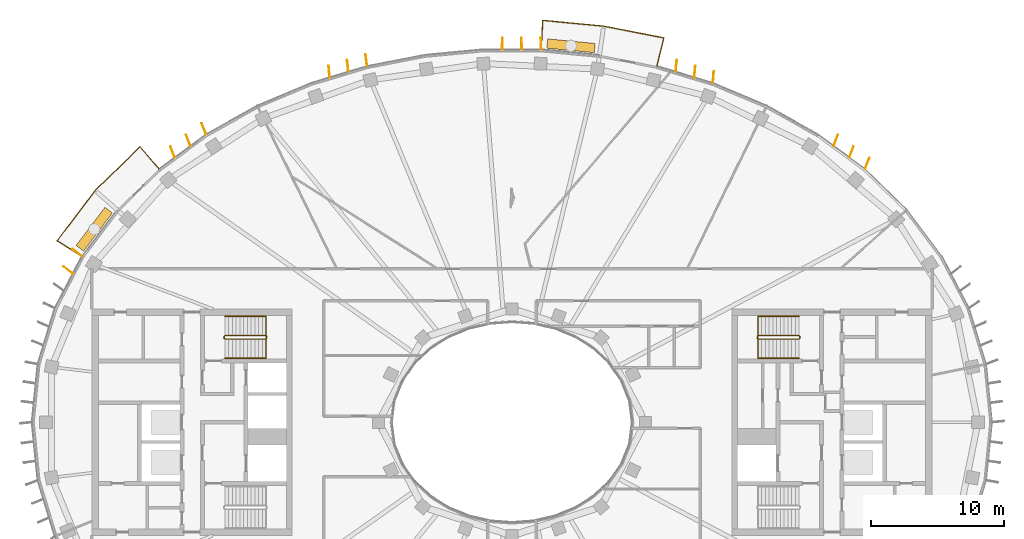
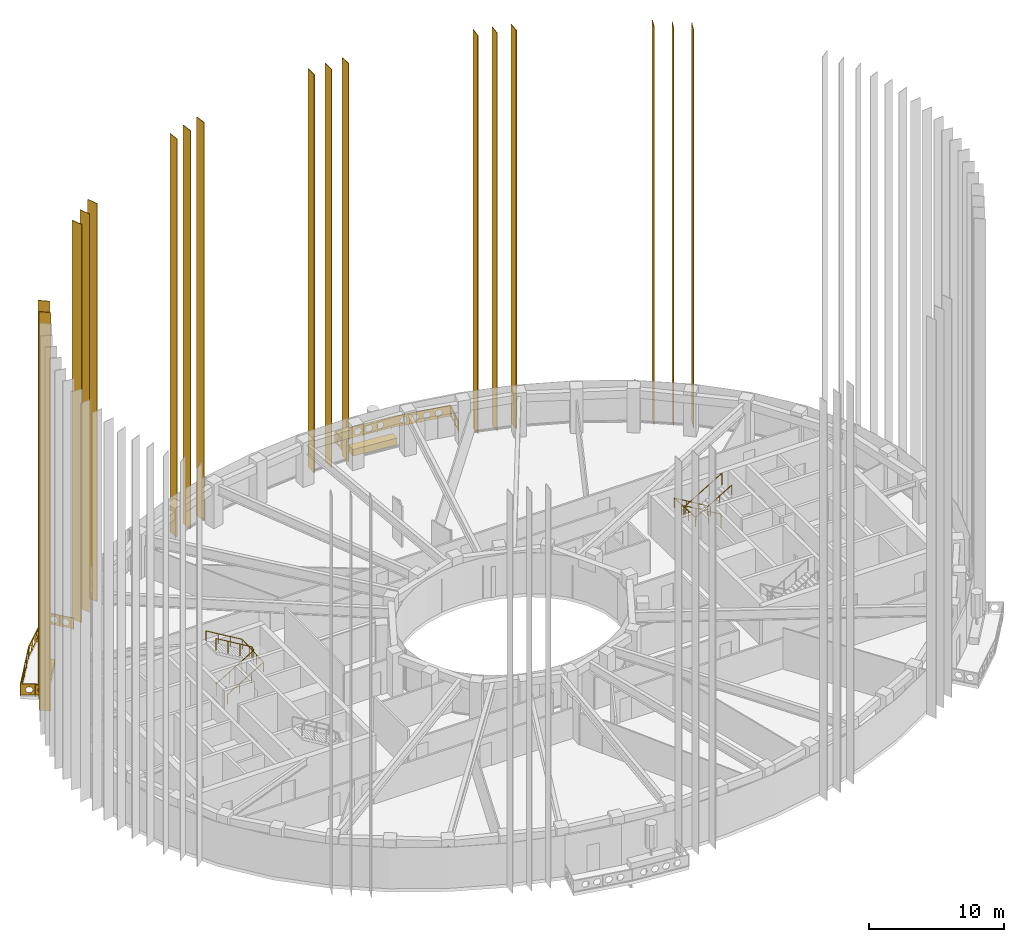
# One storey, part 15 of 17: 19 coverings, 6 railings.
"""IFC4 building model written with IfcOpenShell, lengths in metres."""

from ifc_helpers import new_model, si_unit, direction, frame, origin, origin_2d, place, context, subcontext, project, spatial, polyline, rectangle, outline, extrude, material, material_profile, profile_set, type_object, element, save


model = new_model("IFC4")

# Units and contexts
model_context = context("Model", 3, precision=1e-05, world=origin(), true_north=direction((0.0, 1.0)))
body_context = subcontext(model_context, "Body", "Model", "MODEL_VIEW")
ifc_project = project(units=[si_unit("LENGTHUNIT", "METRE"), si_unit("AREAUNIT", "SQUARE_METRE"), si_unit("VOLUMEUNIT", "CUBIC_METRE"), si_unit("PLANEANGLEUNIT", "RADIAN"), si_unit("MASSUNIT", "GRAM", prefix="KILO")], contexts=[model_context])

# Site, building, storey
site_placement = place(None, origin())
site = spatial("IfcSite", under=ifc_project, at=site_placement, CompositionType="ELEMENT")
building_placement = place(site_placement, origin())
building = spatial("IfcBuilding", under=site, at=building_placement, Name="Noorbagh Ring Tower", CompositionType="ELEMENT")
storey_placement = place(building_placement, frame((0.0, 0.0, 291.0)))
storey = spatial("IfcBuildingStorey", under=building, at=storey_placement, Name="L62", CompositionType="ELEMENT", Elevation=291.0)

# Railings
ifc_material_1 = material(Name="Stainless steel", Category="steel")
railing_type_1 = type_object("IfcRailingType", Name="CORE-STAIR-GUARD", PredefinedType="GUARDRAIL", material=ifc_material_1)
railing_1_placement = place(storey_placement, frame((-21.580078125, 6.300048828125, 0.0)))
element("IfcRailing", 1, at=railing_1_placement, inside=storey, type_object=railing_type_1, Name="L62 ST1 stair guard", PredefinedType="GUARDRAIL", context=body_context, shape_type="SweptSolid", body=[
    extrude(rectangle(XDim=0.048095703125, YDim=0.048095703125, at=origin_2d()), frame((0.0, 0.0, 1.076171875), z_axis=(0.0, 1.0, 0.0), x_axis=(-1.0, 0.0, 0.0)), (0.0, 0.0, 1.0), 0.14990234375),
    extrude(rectangle(XDim=0.048095703125, YDim=0.048095703125, at=origin_2d()), frame((0.0, 0.14990234375, 1.076171875), z_axis=(0.188775798145, -0.754182335027, 0.628945707965), x_axis=(0.970072785993, 0.242814311512, 0.0)), (0.0, 0.0, 1.0), 0.26513671875),
    extrude(rectangle(XDim=0.048095703125, YDim=0.048095703125, at=origin_2d()), frame((0.050048828125, -0.050048828125, 1.24267578125), z_axis=(0.859308565015, 0.0, 0.511457515432), x_axis=(0.0, 1.0, 0.0)), (0.0, 0.0, 1.0), 3.58447265625),
    extrude(rectangle(XDim=0.048095703125, YDim=0.048095703125, at=origin_2d()), frame((3.130126953125, -0.050048828125, 3.076171875), z_axis=(0.707106781187, 0.707106781187, 0.0), x_axis=(-0.707106781187, 0.707106781187, 0.0)), (0.0, 0.0, 1.0), 0.07080078125),
    extrude(rectangle(XDim=0.048095703125, YDim=0.048095703125, at=origin_2d()), frame((3.18017578125, 0.0, 3.076171875), z_axis=(0.0, 1.0, 0.0), x_axis=(-1.0, 0.0, 0.0)), (0.0, 0.0, 1.0), 0.14990234375),
    extrude(rectangle(XDim=0.048095703125, YDim=0.048095703125, at=origin_2d()), frame((3.18017578125, 0.14990234375, 3.076171875), z_axis=(-0.27628659633, 0.27628659633, 0.920506074601), x_axis=(-0.707106781187, -0.707106781187, 0.0)), (0.0, 0.0, 1.0), 0.18115234375),
    extrude(rectangle(XDim=0.048095703125, YDim=0.048095703125, at=origin_2d()), frame((3.130126953125, 0.199951171875, 3.24267578125), z_axis=(-0.859308565015, 0.0, 0.511457515432), x_axis=(0.0, -1.0, 0.0)), (0.0, 0.0, 1.0), 3.58447265625),
    extrude(rectangle(XDim=0.0419921875, YDim=0.0419921875, at=origin_2d()), origin(), (0.0, 0.0, 1.0), 1.052001953125),
    extrude(rectangle(XDim=0.0419921875, YDim=0.0419921875, at=origin_2d()), frame((1.07666015625, -0.050048828125, 0.77783203125)), (0.0, 0.0, 1.0), 1.052001953125),
    extrude(rectangle(XDim=0.0419921875, YDim=0.0419921875, at=origin_2d()), frame((2.103515625, -0.050048828125, 1.388916015625)), (0.0, 0.0, 1.0), 1.052001953125),
    extrude(rectangle(XDim=0.0419921875, YDim=0.0419921875, at=origin_2d()), frame((3.130126953125, -0.050048828125, 2.0)), (0.0, 0.0, 1.0), 1.052001953125),
    extrude(rectangle(XDim=0.0419921875, YDim=0.0419921875, at=origin_2d()), frame((3.130126953125, 0.199951171875, 2.166748046875)), (0.0, 0.0, 1.0), 1.052001953125),
    extrude(rectangle(XDim=0.0419921875, YDim=0.0419921875, at=origin_2d()), frame((2.103515625, 0.199951171875, 2.77783203125)), (0.0, 0.0, 1.0), 1.052001953125),
    extrude(rectangle(XDim=0.0419921875, YDim=0.0419921875, at=origin_2d()), frame((1.07666015625, 0.199951171875, 3.388916015625)), (0.0, 0.0, 1.0), 1.052001953125),
    extrude(rectangle(XDim=0.0419921875, YDim=0.0419921875, at=origin_2d()), frame((0.050048828125, 0.199951171875, 4.0)), (0.0, 0.0, 1.0), 1.052001953125),
])
railing_2_placement = place(storey_placement, frame((21.580078125, 6.449951171875, 0.0)))
element("IfcRailing", 2, at=railing_2_placement, inside=storey, type_object=railing_type_1, Name="L62 ST3 stair guard", PredefinedType="GUARDRAIL", context=body_context, shape_type="SweptSolid", body=[
    extrude(rectangle(XDim=0.048095703125, YDim=0.048095703125, at=origin_2d()), frame((0.0, 0.0, 1.076171875), z_axis=(0.0, -1.0, 0.0), x_axis=(1.0, 0.0, 0.0)), (0.0, 0.0, 1.0), 0.14990234375),
    extrude(rectangle(XDim=0.048095703125, YDim=0.048095703125, at=origin_2d()), frame((0.0, -0.14990234375, 1.076171875), z_axis=(-0.188775798145, 0.754182335027, 0.628945707965), x_axis=(-0.970072785993, -0.242814311512, 0.0)), (0.0, 0.0, 1.0), 0.26513671875),
    extrude(rectangle(XDim=0.048095703125, YDim=0.048095703125, at=origin_2d()), frame((-0.050048828125, 0.050048828125, 1.24267578125), z_axis=(-0.859308565015, 0.0, 0.511457515432), x_axis=(0.0, -1.0, 0.0)), (0.0, 0.0, 1.0), 3.58447265625),
    extrude(rectangle(XDim=0.048095703125, YDim=0.048095703125, at=origin_2d()), frame((-3.130126953125, 0.050048828125, 3.076171875), z_axis=(-0.707106781187, -0.707106781187, 0.0), x_axis=(0.707106781187, -0.707106781187, 0.0)), (0.0, 0.0, 1.0), 0.07080078125),
    extrude(rectangle(XDim=0.048095703125, YDim=0.048095703125, at=origin_2d()), frame((-3.18017578125, 0.0, 3.076171875), z_axis=(0.0, -1.0, 0.0), x_axis=(1.0, 0.0, 0.0)), (0.0, 0.0, 1.0), 0.14990234375),
    extrude(rectangle(XDim=0.048095703125, YDim=0.048095703125, at=origin_2d()), frame((-3.18017578125, -0.14990234375, 3.076171875), z_axis=(0.27628659633, -0.27628659633, 0.920506074601), x_axis=(0.707106781187, 0.707106781187, 0.0)), (0.0, 0.0, 1.0), 0.18115234375),
    extrude(rectangle(XDim=0.048095703125, YDim=0.048095703125, at=origin_2d()), frame((-3.130126953125, -0.199951171875, 3.24267578125), z_axis=(0.859308565015, 0.0, 0.511457515432), x_axis=(0.0, 1.0, 0.0)), (0.0, 0.0, 1.0), 3.58447265625),
    extrude(rectangle(XDim=0.0419921875, YDim=0.0419921875, at=origin_2d()), origin(), (0.0, 0.0, 1.0), 1.052001953125),
    extrude(rectangle(XDim=0.0419921875, YDim=0.0419921875, at=origin_2d()), frame((-1.07666015625, 0.050048828125, 0.77783203125)), (0.0, 0.0, 1.0), 1.052001953125),
    extrude(rectangle(XDim=0.0419921875, YDim=0.0419921875, at=origin_2d()), frame((-2.103515625, 0.050048828125, 1.388916015625)), (0.0, 0.0, 1.0), 1.052001953125),
    extrude(rectangle(XDim=0.0419921875, YDim=0.0419921875, at=origin_2d()), frame((-3.130126953125, 0.050048828125, 2.0)), (0.0, 0.0, 1.0), 1.052001953125),
    extrude(rectangle(XDim=0.0419921875, YDim=0.0419921875, at=origin_2d()), frame((-3.130126953125, -0.199951171875, 2.166748046875)), (0.0, 0.0, 1.0), 1.052001953125),
    extrude(rectangle(XDim=0.0419921875, YDim=0.0419921875, at=origin_2d()), frame((-2.103515625, -0.199951171875, 2.77783203125)), (0.0, 0.0, 1.0), 1.052001953125),
    extrude(rectangle(XDim=0.0419921875, YDim=0.0419921875, at=origin_2d()), frame((-1.07666015625, -0.199951171875, 3.388916015625)), (0.0, 0.0, 1.0), 1.052001953125),
    extrude(rectangle(XDim=0.0419921875, YDim=0.0419921875, at=origin_2d()), frame((-0.050048828125, -0.199951171875, 4.0)), (0.0, 0.0, 1.0), 1.052001953125),
])
ifc_material_2 = material(Name="Stainless steel", Category="steel")
railing_type_2 = type_object("IfcRailingType", Name="CORE-STAIR-HANDRAIL", PredefinedType="HANDRAIL", material=ifc_material_2)
railing_3_placement = place(storey_placement, frame((-21.530029296875, 4.800048828125, 0.166748046875)))
element("IfcRailing", 3, at=railing_3_placement, inside=storey, type_object=railing_type_2, Name="L62 ST1 stair handrail", PredefinedType="HANDRAIL", context=body_context, shape_type="SweptSolid", body=[
    extrude(rectangle(XDim=0.048095703125, YDim=0.048095703125, at=origin_2d()), frame((0.0, 0.0, 0.8759765625), z_axis=(0.859308565015, 0.0, 0.511457515432), x_axis=(0.0, 1.0, 0.0)), (0.0, 0.0, 1.0), 3.58447265625),
    extrude(rectangle(XDim=0.048095703125, YDim=0.048095703125, at=origin_2d()), frame((3.080078125, 0.0, 2.708984375), z_axis=(0.0, 0.998601747152, 0.052863509014), x_axis=(-1.0, 0.0, 0.0)), (0.0, 0.0, 1.0), 3.154296875),
    extrude(rectangle(XDim=0.048095703125, YDim=0.048095703125, at=origin_2d()), frame((3.080078125, 3.14990234375, 2.8759765625), z_axis=(-0.859308565015, 0.0, 0.511457515432), x_axis=(0.0, -1.0, 0.0)), (0.0, 0.0, 1.0), 3.58447265625),
    extrude(rectangle(XDim=0.0419921875, YDim=0.0419921875, at=origin_2d()), origin(), (0.0, 0.0, 1.0), 0.851806640625),
    extrude(rectangle(XDim=0.0419921875, YDim=0.0419921875, at=origin_2d()), frame((1.026611328125, 0.0, 0.611083984375)), (0.0, 0.0, 1.0), 0.851806640625),
    extrude(rectangle(XDim=0.0419921875, YDim=0.0419921875, at=origin_2d()), frame((2.053466796875, 0.0, 1.22216796875)), (0.0, 0.0, 1.0), 0.851806640625),
    extrude(rectangle(XDim=0.0419921875, YDim=0.0419921875, at=origin_2d()), frame((3.080078125, 0.0, 1.833251953125)), (0.0, 0.0, 1.0), 0.851806640625),
    extrude(rectangle(XDim=0.0419921875, YDim=0.0419921875, at=origin_2d()), frame((3.080078125, 1.050048828125, 1.888916015625)), (0.0, 0.0, 1.0), 0.851806640625),
    extrude(rectangle(XDim=0.0419921875, YDim=0.0419921875, at=origin_2d()), frame((3.080078125, 2.099853515625, 1.9443359375)), (0.0, 0.0, 1.0), 0.851806640625),
    extrude(rectangle(XDim=0.0419921875, YDim=0.0419921875, at=origin_2d()), frame((3.080078125, 3.14990234375, 2.0)), (0.0, 0.0, 1.0), 0.851806640625),
    extrude(rectangle(XDim=0.0419921875, YDim=0.0419921875, at=origin_2d()), frame((2.053466796875, 3.14990234375, 2.611083984375)), (0.0, 0.0, 1.0), 0.851806640625),
    extrude(rectangle(XDim=0.0419921875, YDim=0.0419921875, at=origin_2d()), frame((1.026611328125, 3.14990234375, 3.22216796875)), (0.0, 0.0, 1.0), 0.851806640625),
    extrude(rectangle(XDim=0.0419921875, YDim=0.0419921875, at=origin_2d()), frame((0.0, 3.14990234375, 3.833251953125)), (0.0, 0.0, 1.0), 0.851806640625),
])
railing_4_placement = place(storey_placement, frame((21.530029296875, 7.949951171875, 0.166748046875)))
element("IfcRailing", 4, at=railing_4_placement, inside=storey, type_object=railing_type_2, Name="L62 ST3 stair handrail", PredefinedType="HANDRAIL", context=body_context, shape_type="SweptSolid", body=[
    extrude(rectangle(XDim=0.048095703125, YDim=0.048095703125, at=origin_2d()), frame((0.0, 0.0, 0.8759765625), z_axis=(-0.859308565015, 0.0, 0.511457515432), x_axis=(0.0, -1.0, 0.0)), (0.0, 0.0, 1.0), 3.58447265625),
    extrude(rectangle(XDim=0.048095703125, YDim=0.048095703125, at=origin_2d()), frame((-3.080078125, 0.0, 2.708984375), z_axis=(0.0, -0.998601747152, 0.052863509014), x_axis=(1.0, 0.0, 0.0)), (0.0, 0.0, 1.0), 3.154296875),
    extrude(rectangle(XDim=0.048095703125, YDim=0.048095703125, at=origin_2d()), frame((-3.080078125, -3.14990234375, 2.8759765625), z_axis=(0.859308565015, 0.0, 0.511457515432), x_axis=(0.0, 1.0, 0.0)), (0.0, 0.0, 1.0), 3.58447265625),
    extrude(rectangle(XDim=0.0419921875, YDim=0.0419921875, at=origin_2d()), origin(), (0.0, 0.0, 1.0), 0.851806640625),
    extrude(rectangle(XDim=0.0419921875, YDim=0.0419921875, at=origin_2d()), frame((-1.026611328125, 0.0, 0.611083984375)), (0.0, 0.0, 1.0), 0.851806640625),
    extrude(rectangle(XDim=0.0419921875, YDim=0.0419921875, at=origin_2d()), frame((-2.053466796875, 0.0, 1.22216796875)), (0.0, 0.0, 1.0), 0.851806640625),
    extrude(rectangle(XDim=0.0419921875, YDim=0.0419921875, at=origin_2d()), frame((-3.080078125, 0.0, 1.833251953125)), (0.0, 0.0, 1.0), 0.851806640625),
    extrude(rectangle(XDim=0.0419921875, YDim=0.0419921875, at=origin_2d()), frame((-3.080078125, -1.050048828125, 1.888916015625)), (0.0, 0.0, 1.0), 0.851806640625),
    extrude(rectangle(XDim=0.0419921875, YDim=0.0419921875, at=origin_2d()), frame((-3.080078125, -2.099853515625, 1.9443359375)), (0.0, 0.0, 1.0), 0.851806640625),
    extrude(rectangle(XDim=0.0419921875, YDim=0.0419921875, at=origin_2d()), frame((-3.080078125, -3.14990234375, 2.0)), (0.0, 0.0, 1.0), 0.851806640625),
    extrude(rectangle(XDim=0.0419921875, YDim=0.0419921875, at=origin_2d()), frame((-2.053466796875, -3.14990234375, 2.611083984375)), (0.0, 0.0, 1.0), 0.851806640625),
    extrude(rectangle(XDim=0.0419921875, YDim=0.0419921875, at=origin_2d()), frame((-1.026611328125, -3.14990234375, 3.22216796875)), (0.0, 0.0, 1.0), 0.851806640625),
    extrude(rectangle(XDim=0.0419921875, YDim=0.0419921875, at=origin_2d()), frame((0.0, -3.14990234375, 3.833251953125)), (0.0, 0.0, 1.0), 0.851806640625),
])

# Coverings
ifc_material_3 = material(Name="Aluminium 6063-T6 black anodised", Category="aluminium")
ifc_material_profile = material_profile(ifc_material_3, rectangle(XDim=0.89990234375, YDim=0.050048828125, at=origin_2d()), Name="900x50")
ifc_profile_set = profile_set([ifc_material_profile], Name="Aluminium 6063-T6 black anodised")
covering_type_1 = type_object("IfcCoveringType", Name="ENV-FIN", PredefinedType="CLADDING", material=ifc_profile_set)
for number, where, z_axis, x_axis, name in (
    (5, (26.633544921875, 19.406982421875, -0.284912109375), (0.0, 0.0, 1.0), (0.36956351025, 0.929205473451, 0.0), "Fin F06 1 L62-L70"),
    (6, (25.455078125, 20.2744140625, -0.284912109375), (0.0, 0.0, 1.0), (0.366046969104, 0.930596376745, 0.0), "Fin F06 2 L62-L70"),
    (7, (24.277587890625, 21.1416015625, -0.284912109375), (0.0, 0.0, 1.0), (0.364533046139, 0.931190452202, 0.0), "Fin F06 3 L62-L70"),
    (8, (15.102294921875, 25.884521484375, -0.284912109375), (0.0, 0.0, 1.0), (0.078357246483, 0.996925344208, 0.0), "Fin F09 1 L62-L70"),
    (9, (13.708740234375, 26.304931640625, -0.284912109375), (0.0, 0.0, 1.0), (0.092918421481, 0.995673725148, 0.0), "Fin F09 2 L62-L70"),
    (10, (12.31591796875, 26.72509765625, -0.284912109375), (0.0, 0.0, 1.0), (0.109101232004, 0.994030643982, 0.0), "Fin F09 3 L62-L70"),
    (11, (2.17724609375, 28.399169921875, -0.284912109375), (0.0, 0.0, 1.0), (-0.035640795498, 0.999364665023, 0.0), "Fin F12 1 L62-L70"),
    (12, (0.7255859375, 28.398681640625, -0.284912109375), (0.0, 0.0, 1.0), (-0.011915412219, 0.999929008956, 0.0), "Fin F12 2 L62-L70"),
    (13, (-0.7255859375, 28.398681640625, -0.284912109375), (0.0, 0.0, 1.0), (0.011915412219, 0.999929008956, 0.0), "Fin F12 3 L62-L70"),
    (14, (-10.923583984375, 27.14501953125, -0.284912109375), (0.0, 0.0, 1.0), (-0.126759493419, 0.99193348105, 0.0), "Fin F15 1 L62-L70"),
    (15, (-12.31591796875, 26.72509765625, -0.284912109375), (0.0, 0.0, 1.0), (-0.109101232004, 0.994030643982, 0.0), "Fin F15 2 L62-L70"),
    (16, (-13.708740234375, 26.304931640625, -0.284912109375), (0.0, 0.0, 1.0), (-0.092918421481, 0.995673725148, 0.0), "Fin F15 3 L62-L70"),
    (17, (-23.100830078125, 22.00830078125, -0.284912109375), (0.0, 0.0, 1.0), (-0.365038143381, 0.930992563814, 0.0), "Fin F18 1 L62-L70"),
    (18, (-24.277587890625, 21.1416015625, -0.284912109375), (0.0, 0.0, 1.0), (-0.364533046139, 0.931190452202, 0.0), "Fin F18 2 L62-L70"),
    (19, (-25.455078125, 20.2744140625, -0.284912109375), (0.0, 0.0, 1.0), (-0.366046969104, 0.930596376745, 0.0), "Fin F18 3 L62-L70"),
    (20, (-32.612060546875, 12.71728515625, -0.284912109375), (0.0, 0.0, 1.0), (-0.782643528987, 0.622470165176, 0.0), "Fin F21 1 L62-L70"),
    (21, (-33.291748046875, 11.415771484375, -0.284912109375), (0.0, 0.0, 1.0), (-0.793137535147, 0.609042568579, 0.0), "Fin F21 2 L62-L70"),
):
    element("IfcCovering", number, at=place(storey_placement, frame(where, z_axis=z_axis, x_axis=x_axis)), inside=storey, type_object=covering_type_1, Name=name, ObjectType="FIN", PredefinedType="CLADDING", context=body_context, shape_type="SweptSolid", body=[
        extrude(rectangle(XDim=0.89990234375, YDim=0.050048828125, at=origin_2d()), origin(), (0.0, 0.0, 1.0), 35.969970703125),
    ])

# Railings
ifc_material_4 = material(Name="Steel S275 black powder-coated", Category="steel")
railing_type_3 = type_object("IfcRailingType", Name="ENV-GUARD", PredefinedType="GUARDRAIL", material=ifc_material_4)
railing_5_placement = place(storey_placement, frame((10.865234375, 26.6943359375, 0.0)))
element("IfcRailing", 22, at=railing_5_placement, inside=storey, type_object=railing_type_3, Name="Balcony guard BN03", PredefinedType="GUARDRAIL", context=body_context, shape_type="SweptSolid", body=[
    extrude(rectangle(XDim=0.048095703125, YDim=0.048095703125, at=origin_2d()), frame((0.0, 0.0, 1.076171875), z_axis=(0.239848558412, 0.970810315679, 0.0), x_axis=(-0.970810315679, 0.239848558412, 0.0)), (0.0, 0.0, 1.0), 2.20263671875),
    extrude(rectangle(XDim=0.048095703125, YDim=0.048095703125, at=origin_2d()), frame((0.5283203125, 2.138427734375, 1.076171875), z_axis=(-0.981625049064, 0.1908199755, 0.0), x_axis=(-0.1908199755, -0.981625049064, 0.0)), (0.0, 0.0, 1.0), 4.603271484375),
    extrude(rectangle(XDim=0.048095703125, YDim=0.048095703125, at=origin_2d()), frame((-3.990478515625, 3.016845703125, 1.076171875), z_axis=(-0.995477555764, 0.094997031379, 0.0), x_axis=(-0.094997031379, -0.995477555764, 0.0)), (0.0, 0.0, 1.0), 4.59765625),
    extrude(rectangle(XDim=0.048095703125, YDim=0.048095703125, at=origin_2d()), frame((-8.5673828125, 3.45361328125, 1.076171875), z_axis=(-0.047554616162, -0.998868639252, 0.0), x_axis=(0.998868639252, -0.047554616162, 0.0)), (0.0, 0.0, 1.0), 2.202392578125),
    extrude(rectangle(XDim=0.0419921875, YDim=0.0419921875, at=origin_2d()), origin(), (0.0, 0.0, 1.0), 1.052001953125),
    extrude(rectangle(XDim=0.0419921875, YDim=0.0419921875, at=origin_2d()), frame((0.26416015625, 1.0693359375, 0.0)), (0.0, 0.0, 1.0), 1.052001953125),
    extrude(rectangle(XDim=0.0419921875, YDim=0.0419921875, at=origin_2d()), frame((0.5283203125, 2.138427734375, 0.0)), (0.0, 0.0, 1.0), 1.052001953125),
    extrude(rectangle(XDim=0.0419921875, YDim=0.0419921875, at=origin_2d()), frame((-0.601318359375, 2.35791015625, 0.0)), (0.0, 0.0, 1.0), 1.052001953125),
    extrude(rectangle(XDim=0.0419921875, YDim=0.0419921875, at=origin_2d()), frame((-1.73095703125, 2.57763671875, 0.0)), (0.0, 0.0, 1.0), 1.052001953125),
    extrude(rectangle(XDim=0.0419921875, YDim=0.0419921875, at=origin_2d()), frame((-2.86083984375, 2.79736328125, 0.0)), (0.0, 0.0, 1.0), 1.052001953125),
    extrude(rectangle(XDim=0.0419921875, YDim=0.0419921875, at=origin_2d()), frame((-3.990478515625, 3.016845703125, 0.0)), (0.0, 0.0, 1.0), 1.052001953125),
    extrude(rectangle(XDim=0.0419921875, YDim=0.0419921875, at=origin_2d()), frame((-5.134765625, 3.1259765625, 0.0)), (0.0, 0.0, 1.0), 1.052001953125),
    extrude(rectangle(XDim=0.0419921875, YDim=0.0419921875, at=origin_2d()), frame((-6.27880859375, 3.2353515625, 0.0)), (0.0, 0.0, 1.0), 1.052001953125),
    extrude(rectangle(XDim=0.0419921875, YDim=0.0419921875, at=origin_2d()), frame((-7.423095703125, 3.344482421875, 0.0)), (0.0, 0.0, 1.0), 1.052001953125),
    extrude(rectangle(XDim=0.0419921875, YDim=0.0419921875, at=origin_2d()), frame((-8.5673828125, 3.45361328125, 0.0)), (0.0, 0.0, 1.0), 1.052001953125),
    extrude(rectangle(XDim=0.0419921875, YDim=0.0419921875, at=origin_2d()), frame((-8.61962890625, 2.353515625, 0.0)), (0.0, 0.0, 1.0), 1.052001953125),
    extrude(rectangle(XDim=0.0419921875, YDim=0.0419921875, at=origin_2d()), frame((-8.672119140625, 1.253662109375, 0.0)), (0.0, 0.0, 1.0), 1.052001953125),
    extrude(outline(polyline([(0.0, 0.10009765625), (2.20263671875, 0.10009765625), (2.20263671875, 1.031982421875), (0.0, 1.031982421875), (0.0, 0.10009765625)]), holes=[polyline([(0.96142578125, 0.56591796875), (0.806396484375, 0.83447265625), (0.496337890625, 0.83447265625), (0.34130859375, 0.56591796875), (0.496337890625, 0.297607421875), (0.806396484375, 0.297607421875), (0.96142578125, 0.56591796875)]), polyline([(1.861328125, 0.56591796875), (1.706298828125, 0.83447265625), (1.396240234375, 0.83447265625), (1.241455078125, 0.56591796875), (1.396240234375, 0.297607421875), (1.706298828125, 0.297607421875), (1.861328125, 0.56591796875)])]), frame((-0.009765625, 0.00244140625, 0.0), z_axis=(0.970810315679, -0.239848558412, 0.0), x_axis=(0.239848558412, 0.970810315679, 0.0)), (0.0, 0.0, 1.0), 0.02001953125),
    extrude(outline(polyline([(0.0, 0.10009765625), (4.603271484375, 0.10009765625), (4.603271484375, 1.031982421875), (0.0, 1.031982421875), (0.0, 0.10009765625)]), holes=[polyline([(1.26171875, 0.56591796875), (1.106689453125, 0.83447265625), (0.796630859375, 0.83447265625), (0.6416015625, 0.56591796875), (0.796630859375, 0.297607421875), (1.106689453125, 0.297607421875), (1.26171875, 0.56591796875)]), polyline([(2.16162109375, 0.56591796875), (2.006591796875, 0.83447265625), (1.69677734375, 0.83447265625), (1.541748046875, 0.56591796875), (1.69677734375, 0.297607421875), (2.006591796875, 0.297607421875), (2.16162109375, 0.56591796875)]), polyline([(3.061767578125, 0.56591796875), (2.90673828125, 0.83447265625), (2.5966796875, 0.83447265625), (2.441650390625, 0.56591796875), (2.5966796875, 0.297607421875), (2.90673828125, 0.297607421875), (3.061767578125, 0.56591796875)]), polyline([(3.961669921875, 0.56591796875), (3.806640625, 0.83447265625), (3.49658203125, 0.83447265625), (3.341796875, 0.56591796875), (3.49658203125, 0.297607421875), (3.806640625, 0.297607421875), (3.961669921875, 0.56591796875)])]), frame((0.5263671875, 2.128662109375, 0.0), z_axis=(0.1908199755, 0.981625049064, 0.0), x_axis=(-0.981625049064, 0.1908199755, 0.0)), (0.0, 0.0, 1.0), 0.02001953125),
    extrude(outline(polyline([(0.0, 0.10009765625), (4.59765625, 0.10009765625), (4.59765625, 1.031982421875), (0.0, 1.031982421875), (0.0, 0.10009765625)]), holes=[polyline([(1.2587890625, 0.56591796875), (1.103759765625, 0.83447265625), (0.7939453125, 0.83447265625), (0.638916015625, 0.56591796875), (0.7939453125, 0.297607421875), (1.103759765625, 0.297607421875), (1.2587890625, 0.56591796875)]), polyline([(2.158935546875, 0.56591796875), (2.00390625, 0.83447265625), (1.69384765625, 0.83447265625), (1.538818359375, 0.56591796875), (1.69384765625, 0.297607421875), (2.00390625, 0.297607421875), (2.158935546875, 0.56591796875)]), polyline([(3.058837890625, 0.56591796875), (2.90380859375, 0.83447265625), (2.59375, 0.83447265625), (2.43896484375, 0.56591796875), (2.59375, 0.297607421875), (2.90380859375, 0.297607421875), (3.058837890625, 0.56591796875)]), polyline([(3.958740234375, 0.56591796875), (3.803955078125, 0.83447265625), (3.493896484375, 0.83447265625), (3.3388671875, 0.56591796875), (3.493896484375, 0.297607421875), (3.803955078125, 0.297607421875), (3.958740234375, 0.56591796875)])]), frame((-3.991455078125, 3.0068359375, 0.0), z_axis=(0.094997031379, 0.995477555764, 0.0), x_axis=(-0.995477555764, 0.094997031379, 0.0)), (0.0, 0.0, 1.0), 0.02001953125),
    extrude(outline(polyline([(0.0, 0.10009765625), (2.202392578125, 0.10009765625), (2.202392578125, 1.031982421875), (0.0, 1.031982421875), (0.0, 0.10009765625)]), holes=[polyline([(0.961181640625, 0.56591796875), (0.80615234375, 0.83447265625), (0.496337890625, 0.83447265625), (0.34130859375, 0.56591796875), (0.496337890625, 0.297607421875), (0.80615234375, 0.297607421875), (0.961181640625, 0.56591796875)]), polyline([(1.861328125, 0.56591796875), (1.706298828125, 0.83447265625), (1.396240234375, 0.83447265625), (1.2412109375, 0.56591796875), (1.396240234375, 0.297607421875), (1.706298828125, 0.297607421875), (1.861328125, 0.56591796875)])]), frame((-8.557373046875, 3.453125, 0.0), z_axis=(-0.998868639252, 0.047554616162, 0.0), x_axis=(-0.047554616162, -0.998868639252, 0.0)), (0.0, 0.0, 1.0), 0.02001953125),
])
railing_6_placement = place(storey_placement, frame((-26.463134765625, 18.983154296875, 0.0)))
element("IfcRailing", 23, at=railing_6_placement, inside=storey, type_object=railing_type_3, Name="Balcony guard BN06", PredefinedType="GUARDRAIL", context=body_context, shape_type="SweptSolid", body=[
    extrude(rectangle(XDim=0.048095703125, YDim=0.048095703125, at=origin_2d()), frame((0.0, 0.0, 1.076171875), z_axis=(-0.646413574048, 0.762987215677, 0.0), x_axis=(-0.762987215677, -0.646413574048, 0.0)), (0.0, 0.0, 1.0), 2.205322265625),
    extrude(rectangle(XDim=0.048095703125, YDim=0.048095703125, at=origin_2d()), frame((-1.425537109375, 1.6826171875, 1.076171875), z_axis=(-0.717212632946, -0.696854388766, 0.0), x_axis=(0.696854388766, -0.717212632946, 0.0)), (0.0, 0.0, 1.0), 4.700927734375),
    extrude(rectangle(XDim=0.048095703125, YDim=0.048095703125, at=origin_2d()), frame((-4.797119140625, -1.59326171875, 1.076171875), z_axis=(-0.604001613322, -0.796983093362, 0.0), x_axis=(0.796983093362, -0.604001613322, 0.0)), (0.0, 0.0, 1.0), 4.7353515625),
    extrude(rectangle(XDim=0.048095703125, YDim=0.048095703125, at=origin_2d()), frame((-7.6572265625, -5.3671875, 1.076171875), z_axis=(0.844852397829, -0.534999463442, 0.0), x_axis=(0.534999463442, 0.844852397829, 0.0)), (0.0, 0.0, 1.0), 2.207763671875),
    extrude(rectangle(XDim=0.0419921875, YDim=0.0419921875, at=origin_2d()), origin(), (0.0, 0.0, 1.0), 1.052001953125),
    extrude(rectangle(XDim=0.0419921875, YDim=0.0419921875, at=origin_2d()), frame((-0.712890625, 0.84130859375, 0.0)), (0.0, 0.0, 1.0), 1.052001953125),
    extrude(rectangle(XDim=0.0419921875, YDim=0.0419921875, at=origin_2d()), frame((-1.425537109375, 1.6826171875, 0.0)), (0.0, 0.0, 1.0), 1.052001953125),
    extrude(rectangle(XDim=0.0419921875, YDim=0.0419921875, at=origin_2d()), frame((-2.2685546875, 0.86376953125, 0.0)), (0.0, 0.0, 1.0), 1.052001953125),
    extrude(rectangle(XDim=0.0419921875, YDim=0.0419921875, at=origin_2d()), frame((-3.111328125, 0.044677734375, 0.0)), (0.0, 0.0, 1.0), 1.052001953125),
    extrude(rectangle(XDim=0.0419921875, YDim=0.0419921875, at=origin_2d()), frame((-3.9541015625, -0.7744140625, 0.0)), (0.0, 0.0, 1.0), 1.052001953125),
    extrude(rectangle(XDim=0.0419921875, YDim=0.0419921875, at=origin_2d()), frame((-4.797119140625, -1.59326171875, 0.0)), (0.0, 0.0, 1.0), 1.052001953125),
    extrude(rectangle(XDim=0.0419921875, YDim=0.0419921875, at=origin_2d()), frame((-5.51220703125, -2.53662109375, 0.0)), (0.0, 0.0, 1.0), 1.052001953125),
    extrude(rectangle(XDim=0.0419921875, YDim=0.0419921875, at=origin_2d()), frame((-6.22705078125, -3.480224609375, 0.0)), (0.0, 0.0, 1.0), 1.052001953125),
    extrude(rectangle(XDim=0.0419921875, YDim=0.0419921875, at=origin_2d()), frame((-6.942138671875, -4.423828125, 0.0)), (0.0, 0.0, 1.0), 1.052001953125),
    extrude(rectangle(XDim=0.0419921875, YDim=0.0419921875, at=origin_2d()), frame((-7.6572265625, -5.3671875, 0.0)), (0.0, 0.0, 1.0), 1.052001953125),
    extrude(rectangle(XDim=0.0419921875, YDim=0.0419921875, at=origin_2d()), frame((-6.724609375, -5.957763671875, 0.0)), (0.0, 0.0, 1.0), 1.052001953125),
    extrude(rectangle(XDim=0.0419921875, YDim=0.0419921875, at=origin_2d()), frame((-5.7919921875, -6.54833984375, 0.0)), (0.0, 0.0, 1.0), 1.052001953125),
    extrude(outline(polyline([(0.0, 0.10009765625), (2.205322265625, 0.10009765625), (2.205322265625, 1.031982421875), (0.0, 1.031982421875), (0.0, 0.10009765625)]), holes=[polyline([(0.962646484375, 0.56591796875), (0.8076171875, 0.83447265625), (0.49755859375, 0.83447265625), (0.342529296875, 0.56591796875), (0.49755859375, 0.297607421875), (0.8076171875, 0.297607421875), (0.962646484375, 0.56591796875)]), polyline([(1.862548828125, 0.56591796875), (1.707763671875, 0.83447265625), (1.397705078125, 0.83447265625), (1.24267578125, 0.56591796875), (1.397705078125, 0.297607421875), (1.707763671875, 0.297607421875), (1.862548828125, 0.56591796875)])]), frame((-0.007568359375, -0.00634765625, 0.0), z_axis=(0.762987215677, 0.646413574048, 0.0), x_axis=(-0.646413574048, 0.762987215677, 0.0)), (0.0, 0.0, 1.0), 0.02001953125),
    extrude(outline(polyline([(0.0, 0.10009765625), (4.700927734375, 0.10009765625), (4.700927734375, 1.031982421875), (0.0, 1.031982421875), (0.0, 0.10009765625)]), holes=[polyline([(0.860595703125, 0.56591796875), (0.70556640625, 0.83447265625), (0.3955078125, 0.83447265625), (0.240478515625, 0.56591796875), (0.3955078125, 0.297607421875), (0.70556640625, 0.297607421875), (0.860595703125, 0.56591796875)]), polyline([(1.760498046875, 0.56591796875), (1.60546875, 0.83447265625), (1.29541015625, 0.83447265625), (1.140380859375, 0.56591796875), (1.29541015625, 0.297607421875), (1.60546875, 0.297607421875), (1.760498046875, 0.56591796875)]), polyline([(2.660400390625, 0.56591796875), (2.50537109375, 0.83447265625), (2.195556640625, 0.83447265625), (2.04052734375, 0.56591796875), (2.195556640625, 0.297607421875), (2.50537109375, 0.297607421875), (2.660400390625, 0.56591796875)]), polyline([(3.560546875, 0.56591796875), (3.405517578125, 0.83447265625), (3.095458984375, 0.83447265625), (2.9404296875, 0.56591796875), (3.095458984375, 0.297607421875), (3.405517578125, 0.297607421875), (3.560546875, 0.56591796875)]), polyline([(4.46044921875, 0.56591796875), (4.305419921875, 0.83447265625), (3.995361328125, 0.83447265625), (3.840576171875, 0.56591796875), (3.995361328125, 0.297607421875), (4.305419921875, 0.297607421875), (4.46044921875, 0.56591796875)])]), frame((-1.41845703125, 1.675537109375, 0.0), z_axis=(-0.696854388766, 0.717212632946, 0.0), x_axis=(-0.717212632946, -0.696854388766, 0.0)), (0.0, 0.0, 1.0), 0.02001953125),
    extrude(outline(polyline([(0.0, 0.10009765625), (4.7353515625, 0.10009765625), (4.7353515625, 1.031982421875), (0.0, 1.031982421875), (0.0, 0.10009765625)]), holes=[polyline([(0.877685546875, 0.56591796875), (0.72265625, 0.83447265625), (0.41259765625, 0.83447265625), (0.257568359375, 0.56591796875), (0.41259765625, 0.297607421875), (0.72265625, 0.297607421875), (0.877685546875, 0.56591796875)]), polyline([(1.777587890625, 0.56591796875), (1.62255859375, 0.83447265625), (1.312744140625, 0.83447265625), (1.15771484375, 0.56591796875), (1.312744140625, 0.297607421875), (1.62255859375, 0.297607421875), (1.777587890625, 0.56591796875)]), polyline([(2.677734375, 0.56591796875), (2.522705078125, 0.83447265625), (2.212646484375, 0.83447265625), (2.0576171875, 0.56591796875), (2.212646484375, 0.297607421875), (2.522705078125, 0.297607421875), (2.677734375, 0.56591796875)]), polyline([(3.57763671875, 0.56591796875), (3.422607421875, 0.83447265625), (3.112548828125, 0.83447265625), (2.95751953125, 0.56591796875), (3.112548828125, 0.297607421875), (3.422607421875, 0.297607421875), (3.57763671875, 0.56591796875)]), polyline([(4.4775390625, 0.56591796875), (4.32275390625, 0.83447265625), (4.0126953125, 0.83447265625), (3.857666015625, 0.56591796875), (4.0126953125, 0.297607421875), (4.32275390625, 0.297607421875), (4.4775390625, 0.56591796875)])]), frame((-4.7890625, -1.599365234375, 0.0), z_axis=(-0.796983093362, 0.604001613322, 0.0), x_axis=(-0.604001613322, -0.796983093362, 0.0)), (0.0, 0.0, 1.0), 0.02001953125),
    extrude(outline(polyline([(0.0, 0.10009765625), (2.207763671875, 0.10009765625), (2.207763671875, 1.031982421875), (0.0, 1.031982421875), (0.0, 0.10009765625)]), holes=[polyline([(0.9638671875, 0.56591796875), (0.808837890625, 0.83447265625), (0.498779296875, 0.83447265625), (0.343994140625, 0.56591796875), (0.498779296875, 0.297607421875), (0.808837890625, 0.297607421875), (0.9638671875, 0.56591796875)]), polyline([(1.86376953125, 0.56591796875), (1.708984375, 0.83447265625), (1.39892578125, 0.83447265625), (1.243896484375, 0.56591796875), (1.39892578125, 0.297607421875), (1.708984375, 0.297607421875), (1.86376953125, 0.56591796875)])]), frame((-7.65185546875, -5.358642578125, 0.0), z_axis=(-0.534999463442, -0.844852397829, 0.0), x_axis=(0.844852397829, -0.534999463442, 0.0)), (0.0, 0.0, 1.0), 0.02001953125),
])

# Coverings
ifc_material_5 = material(Name="Concrete C30/37 planter with soil", Category="concrete")
covering_type_2 = type_object("IfcCoveringType", Name="ENV-PLANTER", PredefinedType="CLADDING", material=ifc_material_5)
covering_1_placement = place(storey_placement, frame((4.423828125, 28.2373046875, 0.0), z_axis=(0.0, 0.0, 1.0), x_axis=(-0.995476497323, 0.095008122171, 0.0)))
element("IfcCovering", 24, at=covering_1_placement, inside=storey, type_object=covering_type_2, Name="PLANTER BN03", ObjectType="PLANTER", PredefinedType="CLADDING", context=body_context, shape_type="SweptSolid", body=[
    extrude(rectangle(XDim=3.58642578125, YDim=0.699951171875, at=origin_2d()), origin(), (0.0, 0.0, 1.0), 0.60009765625),
])
covering_2_placement = place(storey_placement, frame((-31.329833984375, 14.4833984375, 0.0), z_axis=(0.0, 0.0, 1.0), x_axis=(-0.604020184358, -0.796969018776, 0.0)))
element("IfcCovering", 25, at=covering_2_placement, inside=storey, type_object=covering_type_2, Name="PLANTER BN06", ObjectType="PLANTER", PredefinedType="CLADDING", context=body_context, shape_type="SweptSolid", body=[
    extrude(rectangle(XDim=3.583251953125, YDim=0.699951171875, at=origin_2d()), origin(), (0.0, 0.0, 1.0), 0.60009765625),
])

save(model, "model.ifc")
